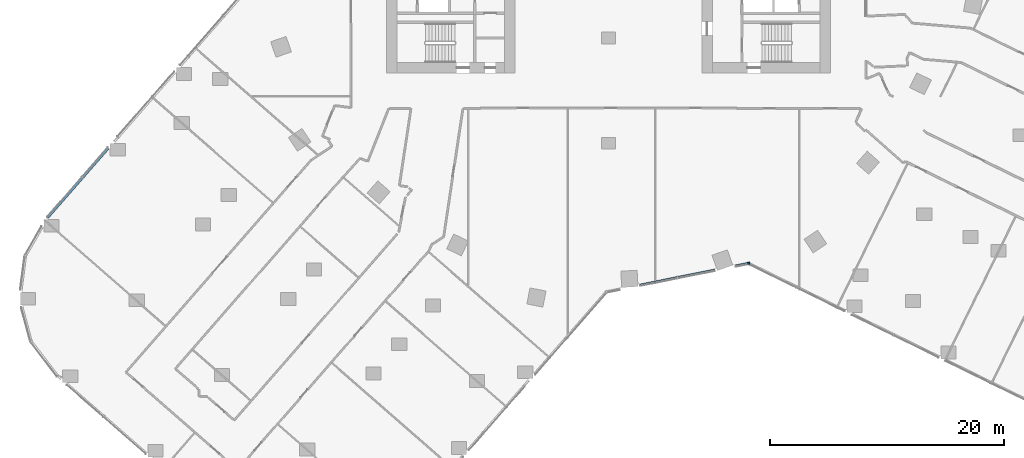
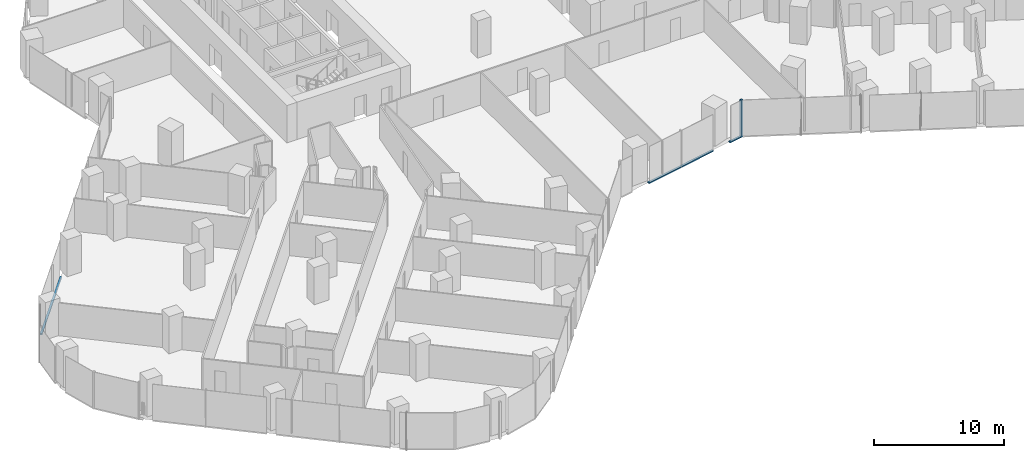
# One storey, part 5 of 38: 4 members, 2 elements without a shape of their own.
"""IFC4 building model written with IfcOpenShell, lengths in metres."""

from ifc_helpers import new_model, si_unit, direction, frame, origin, origin_2d, place, context, subcontext, project, spatial, rectangle, extrude, material, material_profile, profile_set, type_object, element, aggregate, save


model = new_model("IFC4")

# Units and contexts
model_context = context("Model", 3, precision=1e-05, world=origin(), true_north=direction((0.0, 1.0)))
body_context = subcontext(model_context, "Body", "Model", "MODEL_VIEW")
ifc_project = project(units=[si_unit("LENGTHUNIT", "METRE"), si_unit("AREAUNIT", "SQUARE_METRE"), si_unit("VOLUMEUNIT", "CUBIC_METRE"), si_unit("PLANEANGLEUNIT", "RADIAN"), si_unit("MASSUNIT", "GRAM", prefix="KILO")], contexts=[model_context])

# Site, building, storey
site_placement = place(None, origin())
site = spatial("IfcSite", under=ifc_project, at=site_placement, CompositionType="ELEMENT")
building_placement = place(site_placement, origin())
building = spatial("IfcBuilding", under=site, at=building_placement, Name="Orlundy Tower", CompositionType="ELEMENT")
storey_placement = place(building_placement, frame((0.0, 0.0, 65.800048828125)))
storey = spatial("IfcBuildingStorey", under=building, at=storey_placement, Name="L15", CompositionType="ELEMENT", Elevation=65.800048828125)

# Curtain wall, members
ifc_material_1 = material(Name="Aluminium bronze anodised", Category="aluminium")
curtain_wall_type = type_object("IfcCurtainWallType", Name="CW1 wall", PredefinedType="NOTDEFINED", material=ifc_material_1)
curtain_wall_1_placement = place(storey_placement, origin())
curtain_wall_1 = element("IfcCurtainWall", 1, at=curtain_wall_1_placement, inside=storey, type_object=curtain_wall_type, Name="CW1 run 01", PredefinedType="NOTDEFINED")
ifc_material_2 = material(Name="Aluminium bronze anodised", Category="aluminium")
ifc_material_profile_1 = material_profile(ifc_material_2, rectangle(XDim=0.179931640625, YDim=0.179931640625, at=origin_2d()), Name="CW1 corner post 180x180")
ifc_profile_set_1 = profile_set([ifc_material_profile_1], Name="Aluminium bronze anodised")
member_type_1 = type_object("IfcMemberType", Name="CW1 corner post 180x180", PredefinedType="MULLION", material=ifc_profile_set_1)
member_1_placement = place(storey_placement, frame((12.004638671875, -28.2822265625, -0.400146484375), z_axis=(0.0, 0.0, 1.0), x_axis=(0.196531950572, -0.980497420907, 0.0)))
member_1 = element("IfcMember", 2, at=member_1_placement, type_object=member_type_1, Name="CW1 mullion 7", PredefinedType="MULLION", context=body_context, shape_type="SweptSolid", body=[
    extrude(rectangle(XDim=0.179931640625, YDim=0.179931640625, at=origin_2d()), origin(), (0.0, 0.0, 1.0), 3.5),
])
ifc_material_3 = material(Name="Aluminium bronze anodised", Category="aluminium")
ifc_material_profile_2 = material_profile(ifc_material_3, rectangle(XDim=0.179931640625, YDim=0.1201171875, at=origin_2d()), Name="CW1 transom 180x120")
ifc_profile_set_2 = profile_set([ifc_material_profile_2], Name="Aluminium bronze anodised")
member_type_2 = type_object("IfcMemberType", Name="CW1 transom 180x120", PredefinedType="USERDEFINED", material=ifc_profile_set_2)
member_2_placement = place(storey_placement, frame((11.91650390625, -28.300048828125, -0.340087890625), z_axis=(-0.980512926843, -0.19645457565, 0.0), x_axis=(0.19645457565, -0.980512926843, 0.0)))
member_2 = element("IfcMember", 3, at=member_2_placement, type_object=member_type_2, Name="CW1 transom", ObjectType="TRANSOM", PredefinedType="USERDEFINED", context=body_context, shape_type="SweptSolid", body=[
    extrude(rectangle(XDim=0.179931640625, YDim=0.1201171875, at=origin_2d()), origin(), (0.0, 0.0, 1.0), 1.10986328125),
])
member_3_placement = place(storey_placement, frame((9.145751953125, -28.855224609375, -0.340087890625), z_axis=(-0.980497994335, -0.196529089719, 0.0), x_axis=(0.196529089719, -0.980497994335, 0.0)))
member_3 = element("IfcMember", 4, at=member_3_placement, type_object=member_type_2, Name="CW1 transom", ObjectType="TRANSOM", PredefinedType="USERDEFINED", context=body_context, shape_type="SweptSolid", body=[
    extrude(rectangle(XDim=0.179931640625, YDim=0.1201171875, at=origin_2d()), origin(), (0.0, 0.0, 1.0), 6.593994140625),
])
aggregate(curtain_wall_1, [member_1, member_2, member_3])

# Curtain wall, member
curtain_wall_2_placement = place(storey_placement, origin())
curtain_wall_2 = element("IfcCurtainWall", 5, at=curtain_wall_2_placement, inside=storey, type_object=curtain_wall_type, Name="CW1 run 012", PredefinedType="NOTDEFINED")
member_4_placement = place(storey_placement, frame((-47.999267578125, -24.373046875, -0.340087890625), z_axis=(0.658259054691, 0.752791483026, 0.0), x_axis=(-0.752791483026, 0.658259054691, 0.0)))
member_4 = element("IfcMember", 6, at=member_4_placement, type_object=member_type_2, Name="CW1 transom", ObjectType="TRANSOM", PredefinedType="USERDEFINED", context=body_context, shape_type="SweptSolid", body=[
    extrude(rectangle(XDim=0.179931640625, YDim=0.1201171875, at=origin_2d()), origin(), (0.0, 0.0, 1.0), 7.884765625),
])
aggregate(curtain_wall_2, [member_4])

save(model, "model.ifc")
